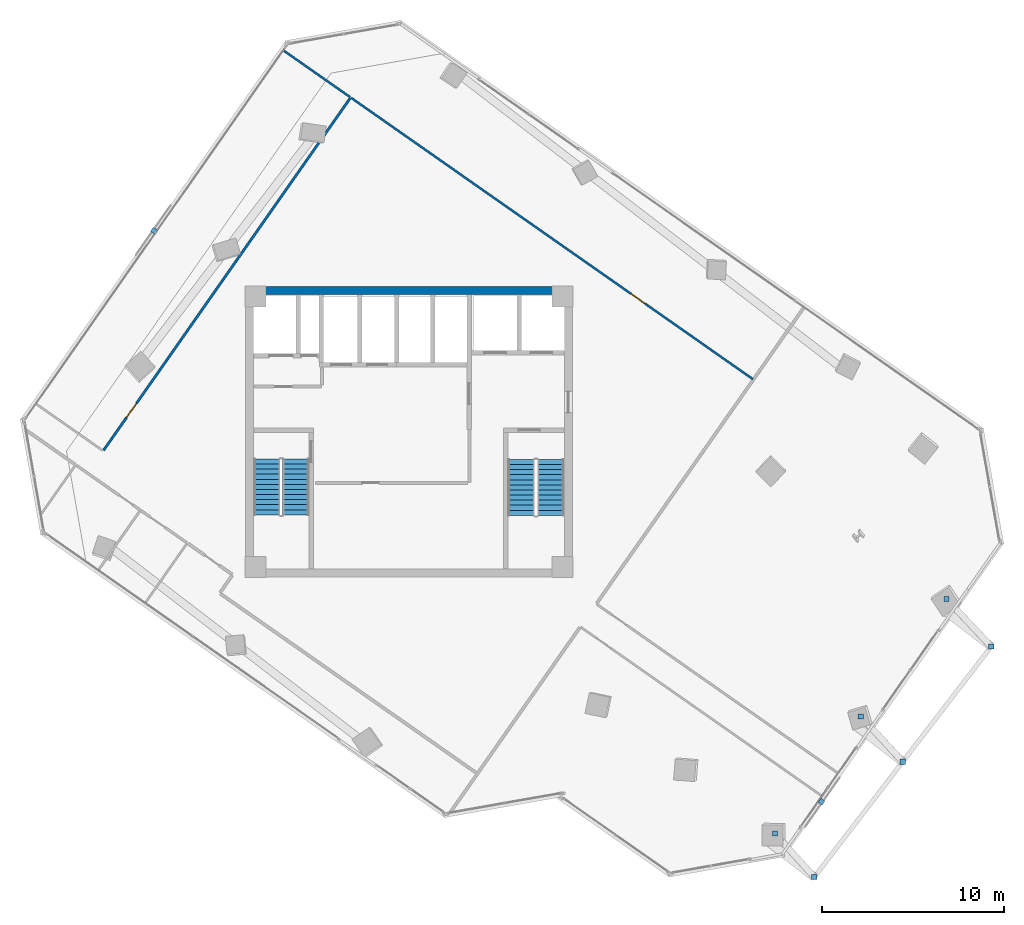
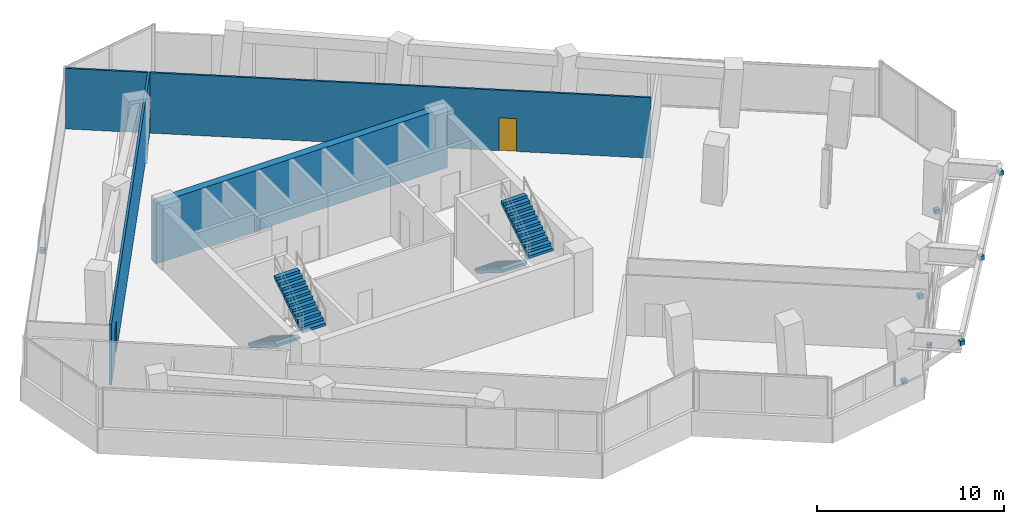
# One storey, part 18 of 21: 8 discrete accessories, 4 stair flights, 4 walls, 2 doors, 2 openings, 2 elements without a shape of their own.
"""IFC4 building model written with IfcOpenShell, lengths in metres."""

from ifc_helpers import new_model, si_unit, direction, frame, frame_2d, origin, origin_2d, place, context, subcontext, project, spatial, polyline, rectangle, outline, extrude, source, transform, mapped, material, layer, layer_set, type_object, element, fill, aggregate, save


model = new_model("IFC4")

# Units and contexts
model_context = context("Model", 3, precision=1e-05, world=origin(), true_north=direction((0.0, 1.0)))
body_context = subcontext(model_context, "Body", "Model", "MODEL_VIEW")
ifc_project = project(units=[si_unit("LENGTHUNIT", "METRE"), si_unit("AREAUNIT", "SQUARE_METRE"), si_unit("VOLUMEUNIT", "CUBIC_METRE"), si_unit("PLANEANGLEUNIT", "RADIAN"), si_unit("MASSUNIT", "GRAM", prefix="KILO")], contexts=[model_context])

# Site, building, storey
site_placement = place(None, origin())
site = spatial("IfcSite", under=ifc_project, at=site_placement, CompositionType="ELEMENT")
building_placement = place(site_placement, origin())
building = spatial("IfcBuilding", under=site, at=building_placement, Name="Torre Montelarca", CompositionType="ELEMENT")
storey_placement = place(building_placement, frame((0.0, 0.0, 200.199951171875)))
storey = spatial("IfcBuildingStorey", under=building, at=storey_placement, Name="L45", CompositionType="ELEMENT", Elevation=200.199951171875)

# Wall
ifc_material_1 = material(Name="Concrete C55/67", Category="concrete")
ifc_layer_1 = layer(ifc_material_1, 0.449951171875, Name="Concrete C55/67", Category="concrete")
ifc_layer_set_1 = layer_set([ifc_layer_1], Name="Concrete C55/67")
wall_type_1 = type_object("IfcWallType", Name="CW-SHEAR-450", PredefinedType="SHEAR", material=ifc_layer_set_1)
wall_1_placement = place(storey_placement, frame((9.0, 39.77490234375, 0.0), z_axis=(0.0, 0.0, 1.0), x_axis=(1.0, 0.0, 0.0)))
element("IfcWall", 1, at=wall_1_placement, inside=storey, type_object=wall_type_1, Name="L45 Core Shear Wall CW-N1", PredefinedType="SHEAR", context=body_context, shape_type="SweptSolid", body=[
    extrude(rectangle(XDim=18.0, YDim=0.449951171875, at=frame_2d((9.0, 0.0))), origin(), (0.0, 0.0, 1.0), 3.9599609375),
])

# Wall, opening, door
ifc_material_2 = material(Name="Gypsum plasterboard on steel stud", Category="steel")
ifc_layer_2 = layer(ifc_material_2, 0.114990234375, Name="Gypsum plasterboard on steel stud", Category="steel")
ifc_layer_set_2 = layer_set([ifc_layer_2], Name="Gypsum plasterboard on steel stud")
wall_type_2 = type_object("IfcWallType", Name="PW-PART-115", PredefinedType="PARTITIONING", material=ifc_layer_set_2)
wall_2_placement = place(storey_placement, frame((14.82080078125, 50.373779296875, 0.0), z_axis=(0.0, 0.0, 1.0), x_axis=(0.819153719849, -0.573574043396, 0.0)))
wall_2 = element("IfcWall", 2, at=wall_2_placement, inside=storey, type_object=wall_type_2, Name="L45 Interior Partition W-L45-NBOT", PredefinedType="PARTITIONING", context=body_context, shape_type="SweptSolid", body=[
    extrude(rectangle(XDim=26.989990234375, YDim=0.114990234375, at=frame_2d((13.4951171875, 0.0))), origin(), (0.0, 0.0, 1.0), 3.9599609375),
])
opening_1_placement = place(wall_2_placement, frame((18.800048828125, 0.0, 0.0)))
opening_1 = element("IfcOpeningElement", 3, at=opening_1_placement, cuts=wall_2, Name="Opening ID-095", PredefinedType="OPENING", context=body_context, shape_type="SweptSolid", body=[
    extrude(rectangle(XDim=0.949951171875, YDim=2.14990234375, at=frame_2d((0.47509765625, 1.074951171875))), frame((0.0, 0.0673828125, 0.0), z_axis=(0.0, -1.0, 0.0), x_axis=(1.0, 0.0, 0.0)), (0.0, 0.0, 1.0), 0.135009765625),
])
ifc_material_3 = material(Name="Hardwood acoustic timber veneer", Category="wood")
door_type = type_object("IfcDoorType", Name="DR-INT-095", OperationType="NOTDEFINED", PredefinedType="DOOR", material=ifc_material_3)
shared_shape_1 = source(origin(), body_context, "Body", "SweptSolid", [
    extrude(rectangle(XDim=0.949951171875, YDim=2.14990234375, at=frame_2d((0.47509765625, 1.074951171875))), frame((0.0, 0.02490234375, 0.0), z_axis=(0.0, -1.0, 0.0), x_axis=(1.0, 0.0, 0.0)), (0.0, 0.0, 1.0), 0.050048828125),
])
door_1_placement = place(opening_1_placement, origin())
door_1 = element("IfcDoor", 4, at=door_1_placement, inside=storey, type_object=door_type, Name="L45 Interior Door 06", OperationType="SINGLE_SWING_LEFT", OverallHeight=2.14990234375, OverallWidth=0.949951171875, PredefinedType="DOOR", context=body_context, shape_type="MappedRepresentation", body=[
    mapped(shared_shape_1, transform((0.0, 0.0, 0.0), scale=1.0)),
])
fill(opening_1, door_1)

# Wall
wall_3_placement = place(storey_placement, frame((11.126708984375, 52.960693359375, 0.0), z_axis=(0.0, 0.0, 1.0), x_axis=(0.819130930641, -0.573606588584, 0.0)))
element("IfcWall", 5, at=wall_3_placement, inside=storey, type_object=wall_type_2, Name="L45 Interior Partition W-L45-WWGN", PredefinedType="PARTITIONING", context=body_context, shape_type="SweptSolid", body=[
    extrude(rectangle(XDim=4.429931640625, YDim=0.114990234375, at=frame_2d((2.21484375, 0.0))), origin(), (0.0, 0.0, 1.0), 3.9599609375),
])

# Wall, opening, door
ifc_layer_3 = layer(ifc_material_2, 0.135009765625, Name="Gypsum plasterboard on steel stud", Category="steel")
ifc_layer_set_3 = layer_set([ifc_layer_3], Name="Gypsum plasterboard on steel stud")
wall_type_3 = type_object("IfcWallType", Name="PW-PART-135", PredefinedType="PARTITIONING", material=ifc_layer_set_3)
wall_4_placement = place(storey_placement, frame((1.188720703125, 30.974609375, 0.0), z_axis=(0.0, 0.0, 1.0), x_axis=(0.573571020786, 0.819155836282, 0.0)))
wall_4 = element("IfcWall", 6, at=wall_4_placement, inside=storey, type_object=wall_type_3, Name="L45 Interior Partition W-L45-WWGE", PredefinedType="PARTITIONING", context=body_context, shape_type="SweptSolid", body=[
    extrude(rectangle(XDim=23.669921875, YDim=0.135009765625, at=frame_2d((11.8349609375, 0.0))), origin(), (0.0, 0.0, 1.0), 3.9599609375),
])
opening_2_placement = place(wall_4_placement, frame((2.199951171875, 0.0, 0.0)))
opening_2 = element("IfcOpeningElement", 7, at=opening_2_placement, cuts=wall_4, Name="Opening ID-095", PredefinedType="OPENING", context=body_context, shape_type="SweptSolid", body=[
    extrude(rectangle(XDim=0.949951171875, YDim=2.14990234375, at=frame_2d((0.47509765625, 1.074951171875))), frame((0.0, 0.07763671875, 0.0), z_axis=(0.0, -1.0, 0.0), x_axis=(1.0, 0.0, 0.0)), (0.0, 0.0, 1.0), 0.155029296875),
])
door_2_placement = place(opening_2_placement, origin())
door_2 = element("IfcDoor", 8, at=door_2_placement, inside=storey, type_object=door_type, Name="L45 Interior Door 07", OperationType="SINGLE_SWING_LEFT", OverallHeight=2.14990234375, OverallWidth=0.949951171875, PredefinedType="DOOR", context=body_context, shape_type="MappedRepresentation", body=[
    mapped(shared_shape_1, transform((0.0, 0.0, 0.0), scale=1.0)),
])
fill(opening_2, door_2)

# Stair, stair flights
ifc_material_4 = material(Name="Concrete C40/50", Category="concrete")
stair_type_1 = type_object("IfcStairType", Name="ST-CORE-ST1", PredefinedType="HALF_TURN_STAIR", material=ifc_material_4)
stair_1_placement = place(storey_placement, origin())
stair_1 = element("IfcStair", 9, at=stair_1_placement, inside=storey, type_object=stair_type_1, Name="L45 Protected Exit Stair ST1", PredefinedType="HALF_TURN_STAIR")
stair_flight_type_1 = type_object("IfcStairFlightType", Name="SFL-CORE-ST1", PredefinedType="STRAIGHT", material=ifc_material_4)
stair_flight_1_placement = place(storey_placement, frame((10.175048828125, 30.5, 0.0), z_axis=(0.0, 0.0, 1.0), x_axis=(0.0, -1.0, 0.0)))
stair_flight_1 = element("IfcStairFlight", 10, at=stair_flight_1_placement, type_object=stair_flight_type_1, Name="ST1 flight 1", NumberOfRisers=12, NumberOfTreads=11, PredefinedType="STRAIGHT", RiserHeight=0.175, TreadLength=0.28, context=body_context, shape_type="SweptSolid", body=[
    extrude(outline(polyline([(0.0, 0.0), (0.0, 0.175048828125), (0.280029296875, 0.175048828125), (0.280029296875, 0.35009765625), (0.56005859375, 0.35009765625), (0.56005859375, 0.52490234375), (0.840087890625, 0.52490234375), (0.840087890625, 0.699951171875), (1.1201171875, 0.699951171875), (1.1201171875, 0.875), (1.39990234375, 0.875), (1.39990234375, 1.050048828125), (1.679931640625, 1.050048828125), (1.679931640625, 1.22509765625), (1.9599609375, 1.22509765625), (1.9599609375, 1.39990234375), (2.239990234375, 1.39990234375), (2.239990234375, 1.574951171875), (2.52001953125, 1.574951171875), (2.52001953125, 1.75), (2.800048828125, 1.75), (2.800048828125, 1.925048828125), (3.080078125, 1.925048828125), (3.080078125, 2.10009765625), (3.080078125, 1.748291015625), (0.28271484375, 0.0), (0.0, 0.0)])), frame((0.0, 0.72509765625, 0.0), z_axis=(0.0, -1.0, 0.0), x_axis=(1.0, 0.0, 0.0)), (0.0, 0.0, 1.0), 1.449951171875),
])
stair_flight_2_placement = place(storey_placement, frame((11.77490234375, 27.419921875, 2.10009765625), z_axis=(0.0, 0.0, 1.0), x_axis=(0.0, 1.0, 0.0)))
stair_flight_2 = element("IfcStairFlight", 11, at=stair_flight_2_placement, type_object=stair_flight_type_1, Name="ST1 flight 2", NumberOfRisers=12, NumberOfTreads=11, PredefinedType="STRAIGHT", RiserHeight=0.175, TreadLength=0.28, context=body_context, shape_type="SweptSolid", body=[
    extrude(outline(polyline([(0.0, 0.0), (0.0, 0.175048828125), (0.280029296875, 0.175048828125), (0.280029296875, 0.35009765625), (0.56005859375, 0.35009765625), (0.56005859375, 0.52490234375), (0.840087890625, 0.52490234375), (0.840087890625, 0.699951171875), (1.1201171875, 0.699951171875), (1.1201171875, 0.875), (1.39990234375, 0.875), (1.39990234375, 1.050048828125), (1.679931640625, 1.050048828125), (1.679931640625, 1.22509765625), (1.9599609375, 1.22509765625), (1.9599609375, 1.39990234375), (2.239990234375, 1.39990234375), (2.239990234375, 1.574951171875), (2.52001953125, 1.574951171875), (2.52001953125, 1.75), (2.800048828125, 1.75), (2.800048828125, 1.925048828125), (3.080078125, 1.925048828125), (3.080078125, 2.10009765625), (3.080078125, 1.748291015625), (0.28271484375, 0.0), (0.0, 0.0)])), frame((0.0, 0.72509765625, 0.0), z_axis=(0.0, -1.0, 0.0), x_axis=(1.0, 0.0, 0.0)), (0.0, 0.0, 1.0), 1.449951171875),
])
aggregate(stair_1, [stair_flight_1, stair_flight_2])

stair_type_2 = type_object("IfcStairType", Name="ST-CORE-ST2", PredefinedType="HALF_TURN_STAIR", material=ifc_material_4)
stair_2_placement = place(storey_placement, origin())
stair_2 = element("IfcStair", 12, at=stair_2_placement, inside=storey, type_object=stair_type_2, Name="L45 Protected Exit Stair ST2", PredefinedType="HALF_TURN_STAIR")
stair_flight_type_2 = type_object("IfcStairFlightType", Name="SFL-CORE-ST2", PredefinedType="STRAIGHT", material=ifc_material_4)
stair_flight_3_placement = place(storey_placement, frame((24.179931640625, 30.469970703125, 0.0), z_axis=(0.0, 0.0, 1.0), x_axis=(0.0, -1.0, 0.0)))
stair_flight_3 = element("IfcStairFlight", 13, at=stair_flight_3_placement, type_object=stair_flight_type_2, Name="ST2 flight 1", NumberOfRisers=12, NumberOfTreads=11, PredefinedType="STRAIGHT", RiserHeight=0.175, TreadLength=0.28, context=body_context, shape_type="SweptSolid", body=[
    extrude(outline(polyline([(0.0, 0.0), (0.0, 0.175048828125), (0.280029296875, 0.175048828125), (0.280029296875, 0.35009765625), (0.56005859375, 0.35009765625), (0.56005859375, 0.52490234375), (0.840087890625, 0.52490234375), (0.840087890625, 0.699951171875), (1.1201171875, 0.699951171875), (1.1201171875, 0.875), (1.39990234375, 0.875), (1.39990234375, 1.050048828125), (1.679931640625, 1.050048828125), (1.679931640625, 1.22509765625), (1.9599609375, 1.22509765625), (1.9599609375, 1.39990234375), (2.239990234375, 1.39990234375), (2.239990234375, 1.574951171875), (2.52001953125, 1.574951171875), (2.52001953125, 1.75), (2.800048828125, 1.75), (2.800048828125, 1.925048828125), (3.080078125, 1.925048828125), (3.080078125, 2.10009765625), (3.080078125, 1.748291015625), (0.28271484375, 0.0), (0.0, 0.0)])), frame((0.0, 0.739990234375, 0.0), z_axis=(0.0, -1.0, 0.0), x_axis=(1.0, 0.0, 0.0)), (0.0, 0.0, 1.0), 1.47998046875),
])
stair_flight_4_placement = place(storey_placement, frame((25.81005859375, 27.389892578125, 2.10009765625), z_axis=(0.0, 0.0, 1.0), x_axis=(0.0, 1.0, 0.0)))
stair_flight_4 = element("IfcStairFlight", 14, at=stair_flight_4_placement, type_object=stair_flight_type_2, Name="ST2 flight 2", NumberOfRisers=12, NumberOfTreads=11, PredefinedType="STRAIGHT", RiserHeight=0.175, TreadLength=0.28, context=body_context, shape_type="SweptSolid", body=[
    extrude(outline(polyline([(0.0, 0.0), (0.0, 0.175048828125), (0.280029296875, 0.175048828125), (0.280029296875, 0.35009765625), (0.56005859375, 0.35009765625), (0.56005859375, 0.52490234375), (0.840087890625, 0.52490234375), (0.840087890625, 0.699951171875), (1.1201171875, 0.699951171875), (1.1201171875, 0.875), (1.39990234375, 0.875), (1.39990234375, 1.050048828125), (1.679931640625, 1.050048828125), (1.679931640625, 1.22509765625), (1.9599609375, 1.22509765625), (1.9599609375, 1.39990234375), (2.239990234375, 1.39990234375), (2.239990234375, 1.574951171875), (2.52001953125, 1.574951171875), (2.52001953125, 1.75), (2.800048828125, 1.75), (2.800048828125, 1.925048828125), (3.080078125, 1.925048828125), (3.080078125, 2.10009765625), (3.080078125, 1.748291015625), (0.28271484375, 0.0), (0.0, 0.0)])), frame((0.0, 0.739990234375, 0.0), z_axis=(0.0, -1.0, 0.0), x_axis=(1.0, 0.0, 0.0)), (0.0, 0.0, 1.0), 1.47998046875),
])
aggregate(stair_2, [stair_flight_3, stair_flight_4])

# Discrete accessories
ifc_material_5 = material(Name="Stainless steel AISI 316", Category="steel")
discrete_accessory_type = type_object("IfcDiscreteAccessoryType", Name="ACC-BRACKET-SS", PredefinedType="BRACKET", material=ifc_material_5)
shared_shape_2 = source(origin(), body_context, "Body", "SweptSolid", [
    extrude(rectangle(XDim=0.280029296875, YDim=0.280029296875, at=origin_2d()), origin(), (0.0, 0.0, 1.0), 0.280029296875),
])
for number, where, z_axis, x_axis, name in (
    (15, (38.140380859375, 9.878662109375, 0.01025390625), (0.0, 0.0, 1.0), (1.0, 0.0, 0.0), "L46 Raker End Connection Bracket E1-FT"),
    (16, (40.3115234375, 7.481689453125, 3.2451171875), (0.0, 0.0, 1.0), (1.0, 0.0, 0.0), "L46 Raker End Connection Bracket E1-HD"),
    (17, (42.870849609375, 16.330322265625, 0.01025390625), (0.0, 0.0, 1.0), (1.0, 0.0, 0.0), "L46 Raker End Connection Bracket E2-FT"),
    (18, (45.181640625, 13.82861328125, 3.2451171875), (0.0, 0.0, 1.0), (1.0, 0.0, 0.0), "L46 Raker End Connection Bracket E2-HD"),
    (19, (47.601318359375, 22.781982421875, 0.01025390625), (0.0, 0.0, 1.0), (1.0, 0.0, 0.0), "L46 Raker End Connection Bracket E3-FT"),
    (20, (50.0517578125, 20.17529296875, 3.2451171875), (0.0, 0.0, 1.0), (1.0, 0.0, 0.0), "L46 Raker End Connection Bracket E3-HD"),
):
    element("IfcDiscreteAccessory", number, at=place(storey_placement, frame(where, z_axis=z_axis, x_axis=x_axis)), inside=storey, type_object=discrete_accessory_type, Name=name, PredefinedType="BRACKET", context=body_context, shape_type="MappedRepresentation", body=[
        mapped(shared_shape_2, transform((0.0, 0.0, 0.0), scale=1.0)),
    ])
shared_shape_3 = source(origin(), body_context, "Body", "SweptSolid", [
    extrude(rectangle(XDim=0.280029296875, YDim=0.260009765625, at=origin_2d()), origin(), (0.0, 0.0, 1.0), 0.239990234375),
])
for number, where, z_axis, x_axis, name in (
    (21, (40.710205078125, 11.629638671875, 0.39990234375), (0.0, 0.0, 1.0), (0.573576436351, 0.819152044289, 0.0), "L45 Solar Screen Support Bracket E6-1"),
    (22, (3.95361328125, 43.065185546875, 0.39990234375), (0.0, 0.0, 1.0), (-0.57357500666, -0.819153045367, 0.0), "L45 Solar Screen Support Bracket E10-1"),
):
    element("IfcDiscreteAccessory", number, at=place(storey_placement, frame(where, z_axis=z_axis, x_axis=x_axis)), inside=storey, type_object=discrete_accessory_type, Name=name, PredefinedType="BRACKET", context=body_context, shape_type="MappedRepresentation", body=[
        mapped(shared_shape_3, transform((0.0, 0.0, 0.0), scale=1.0)),
    ])

save(model, "model.ifc")
